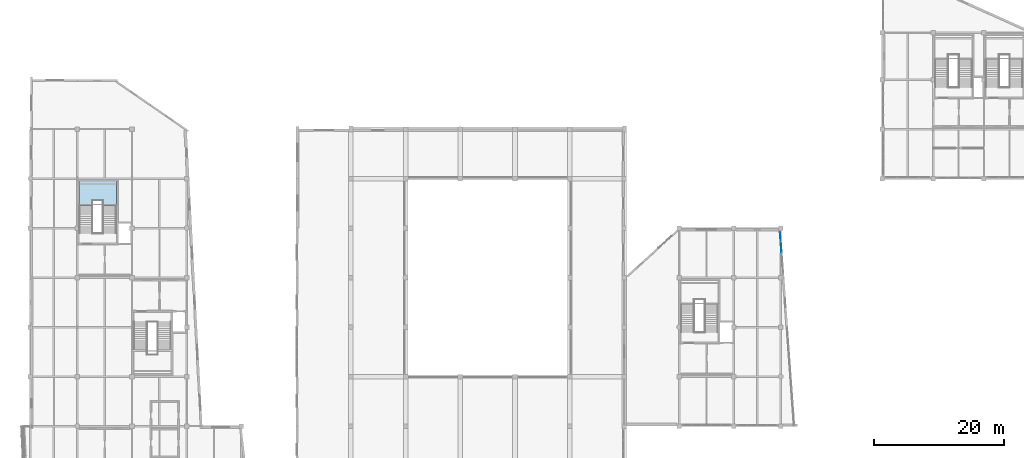
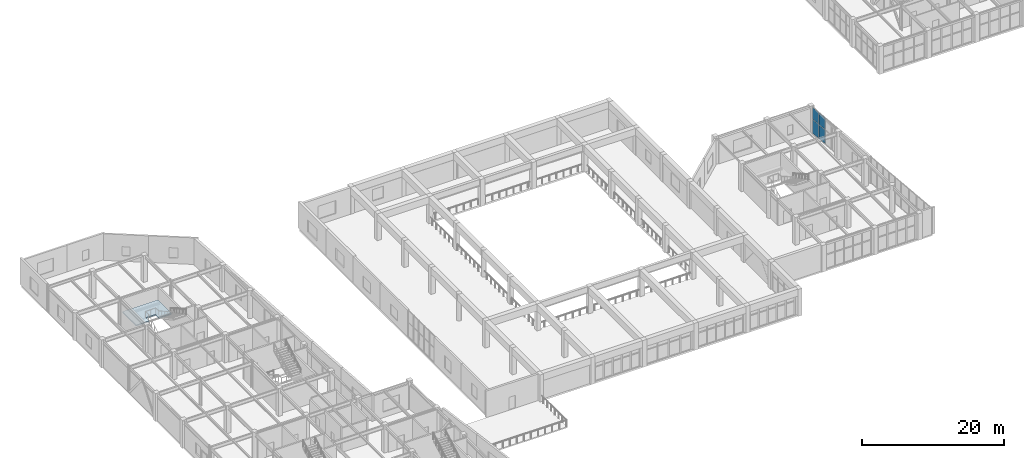
# One storey, part 53 of 72: 4 plates, 1 slab, 2 elements without a shape of their own.
"""IFC4 building model written with IfcOpenShell, lengths in metres."""

from ifc_helpers import new_model, si_unit, direction, frame, origin, origin_2d, place, context, subcontext, project, spatial, polyline, rectangle, outline, extrude, material, layer, layer_set, type_object, element, aggregate, save


model = new_model("IFC4")

# Units and contexts
model_context = context("Model", 3, precision=1e-05, world=origin(), true_north=direction((0.0, 1.0)))
body_context = subcontext(model_context, "Body", "Model", "MODEL_VIEW")
ifc_project = project(units=[si_unit("LENGTHUNIT", "METRE"), si_unit("AREAUNIT", "SQUARE_METRE"), si_unit("VOLUMEUNIT", "CUBIC_METRE"), si_unit("PLANEANGLEUNIT", "RADIAN"), si_unit("MASSUNIT", "GRAM", prefix="KILO")], contexts=[model_context])

# Site, building, storey
site_placement = place(None, origin())
site = spatial("IfcSite", under=ifc_project, at=site_placement, CompositionType="ELEMENT")
building_placement = place(site_placement, origin())
building = spatial("IfcBuilding", under=site, at=building_placement, Name="Xicomal Pleat Aquarium", CompositionType="ELEMENT")
storey_placement = place(building_placement, frame((0.0, 0.0, 10.5)))
storey = spatial("IfcBuildingStorey", under=building, at=storey_placement, Name="L03", CompositionType="ELEMENT", Elevation=10.5)

# Curtain wall, plates
ifc_material_1 = material(Name="Bronze anodized aluminium 6063-T6", Category="aluminium")
ifc_layer_1 = layer(ifc_material_1, 0.159912109375)
ifc_layer_set_1 = layer_set([ifc_layer_1], Name="Bronze anodized aluminium 6063-T6")
curtain_wall_type = type_object("IfcCurtainWallType", Name="CW-SYS-03", PredefinedType="NOTDEFINED", material=ifc_layer_set_1)
curtain_wall_placement = place(storey_placement, origin())
curtain_wall = element("IfcCurtainWall", 1, at=curtain_wall_placement, inside=storey, type_object=curtain_wall_type, Name="L03 unitised curtain wall CW-L03-158", PredefinedType="NOTDEFINED")
ifc_material_2 = material(Name="Insulated low-E laminated glass", Category="glass")
ifc_layer_2 = layer(ifc_material_2, 0.035888671875)
ifc_layer_set_2 = layer_set([ifc_layer_2], Name="Insulated low-E laminated glass")
plate_type = type_object("IfcPlateType", Name="CWP-GLZ-36", PredefinedType="CURTAIN_PANEL", material=ifc_layer_set_2)
plate_1_placement = place(storey_placement, frame((118.158447265625, 67.034423828125, 0.0849609375), z_axis=(0.0, 0.0, 1.0), x_axis=(0.072170652282, -0.997392298421, 0.0)))
plate_1 = element("IfcPlate", 2, at=plate_1_placement, type_object=plate_type, Name="CW-03 panel 1.1", PredefinedType="CURTAIN_PANEL", context=body_context, shape_type="SweptSolid", body=[
    extrude(rectangle(XDim=1.507568359375, YDim=0.035888671875, at=origin_2d()), origin(), (0.0, 0.0, 1.0), 2.361572265625),
])
plate_2_placement = place(storey_placement, frame((118.158447265625, 67.034423828125, 2.53173828125), z_axis=(0.0, 0.0, 1.0), x_axis=(0.072170652282, -0.997392298421, 0.0)))
plate_2 = element("IfcPlate", 3, at=plate_2_placement, type_object=plate_type, Name="CW-03 panel 1.2", PredefinedType="CURTAIN_PANEL", context=body_context, shape_type="SweptSolid", body=[
    extrude(rectangle(XDim=1.507568359375, YDim=0.035888671875, at=origin_2d()), origin(), (0.0, 0.0, 1.0), 1.993408203125),
])
plate_3_placement = place(storey_placement, frame((118.27490234375, 65.4248046875, 0.0849609375), z_axis=(0.0, 0.0, 1.0), x_axis=(0.072170652282, -0.997392298421, 0.0)))
plate_3 = element("IfcPlate", 4, at=plate_3_placement, type_object=plate_type, Name="CW-03 panel 2.1", PredefinedType="CURTAIN_PANEL", context=body_context, shape_type="SweptSolid", body=[
    extrude(rectangle(XDim=1.550048828125, YDim=0.035888671875, at=origin_2d()), origin(), (0.0, 0.0, 1.0), 2.361572265625),
])
plate_4_placement = place(storey_placement, frame((118.27490234375, 65.4248046875, 2.53173828125), z_axis=(0.0, 0.0, 1.0), x_axis=(0.072170652282, -0.997392298421, 0.0)))
plate_4 = element("IfcPlate", 5, at=plate_4_placement, type_object=plate_type, Name="CW-03 panel 2.2", PredefinedType="CURTAIN_PANEL", context=body_context, shape_type="SweptSolid", body=[
    extrude(rectangle(XDim=1.550048828125, YDim=0.035888671875, at=origin_2d()), origin(), (0.0, 0.0, 1.0), 1.993408203125),
])
aggregate(curtain_wall, [plate_1, plate_2, plate_3, plate_4])

# Stair, slab
ifc_material_3 = material(Name="Concrete C35/45", Category="concrete")
stair_type = type_object("IfcStairType", Name="STR-HT-4800-2400", PredefinedType="HALF_TURN_STAIR", material=ifc_material_3)
stair_placement = place(storey_placement, origin())
stair = element("IfcStair", 6, at=stair_placement, inside=storey, type_object=stair_type, Name="ST-03 fire exit stair L03 to L04", PredefinedType="HALF_TURN_STAIR")
ifc_material_4 = material(Name="Concrete C35/45", Category="concrete")
ifc_layer_3 = layer(ifc_material_4, 0.195068359375)
ifc_layer_set_3 = layer_set([ifc_layer_3], Name="Concrete C35/45")
slab_type = type_object("IfcSlabType", Name="SLB-LND-195", PredefinedType="LANDING", material=ifc_layer_set_3)
slab_placement = place(storey_placement, frame((0.0, 0.0, 2.205078125)))
slab = element("IfcSlab", 7, at=slab_placement, type_object=slab_type, Name="ST-03 landing 1", PredefinedType="LANDING", context=body_context, shape_type="SweptSolid", body=[
    extrude(outline(polyline([(10.43994140625, 75.60009765625), (16.219970703125, 75.60009765625), (16.219970703125, 71.74609375), (14.1201171875, 71.74609375), (14.1201171875, 72.656005859375), (12.5400390625, 72.656005859375), (12.5400390625, 71.74609375), (10.43994140625, 71.74609375), (10.43994140625, 75.60009765625)])), origin(), (0.0, 0.0, 1.0), 0.19482421875),
])
aggregate(stair, [slab])

save(model, "model.ifc")
